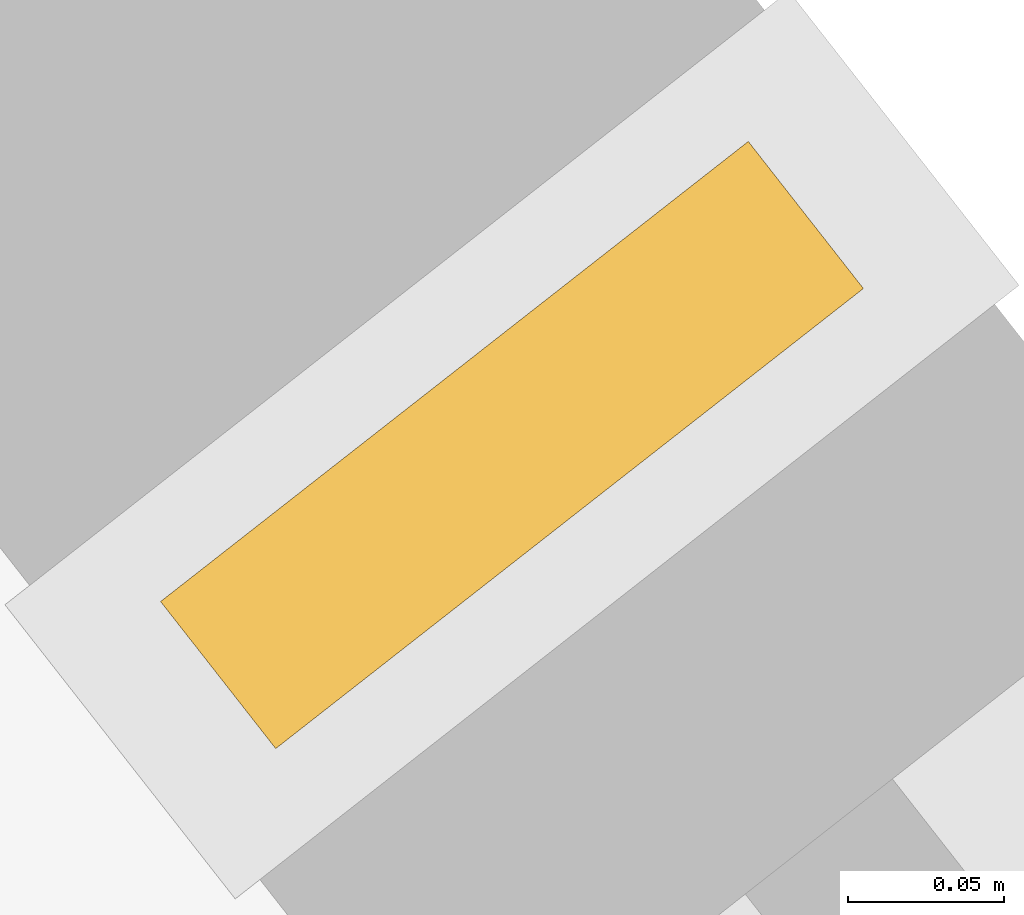
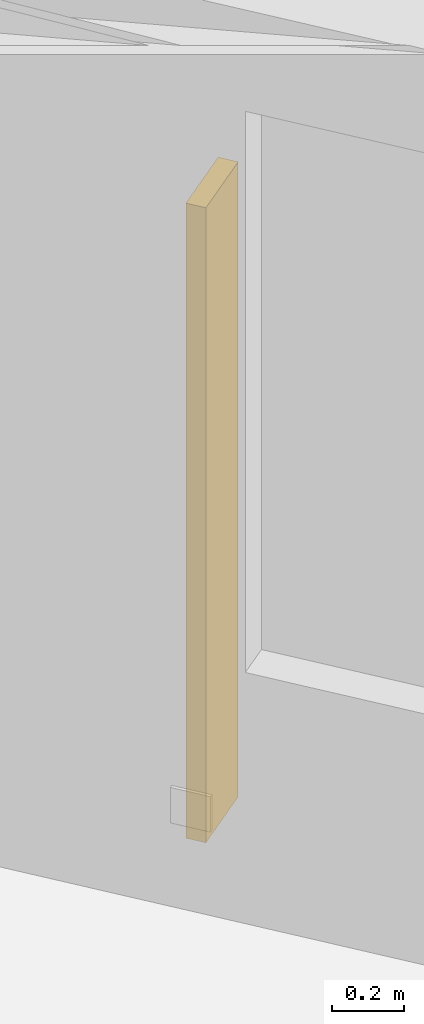
# One storey, part 16 of 16: 1 shading device.
"""IFC4 building model written with IfcOpenShell, lengths in metres."""

import ifcopenshell
import ifcopenshell.guid

model = None  # the IFC model being written
_history = None  # IfcOwnerHistory: only IFC2X3 demands one
_inside = {}  # id of a spatial element -> (the spatial element, [elements in it])
_under = {}  # id of a project, library or spatial element -> (it, [spatial elements below it])
_declared = {}  # id of a project -> (the project, [libraries it declares])
_typed = {}  # id of a type object -> (the type object, [elements of that type])
_made_of = {}  # id of a material, layer set ... -> (it, [elements and type objects made of it])


def new_model(schema):
    """Start an empty IFC model of exactly this schema.

    Asked for "IFC4X3", IfcOpenShell would pick the latest addendum, in which some entities
    have other attributes; the version numbers below select the first issue.
    IFC2X3 requires an IfcOwnerHistory on every rooted entity: one is made here for all.
    """
    global model, _history
    if schema == "IFC4X3":
        model = ifcopenshell.file(schema_version=(4, 3, 0, 0))
    else:
        model = ifcopenshell.file(schema=schema)
    _inside.clear()
    _under.clear()
    _declared.clear()
    _typed.clear()
    _made_of.clear()
    _history = None
    if model.schema == "IFC2X3":
        org = make("IfcOrganization", Name="unknown")
        user = make(
            "IfcPersonAndOrganization",
            ThePerson=make("IfcPerson", FamilyName="unknown"),
            TheOrganization=org,
        )
        app = make(
            "IfcApplication",
            ApplicationDeveloper=org,
            Version="unknown",
            ApplicationFullName="unknown",
            ApplicationIdentifier="unknown",
        )
        _history = make(
            "IfcOwnerHistory",
            OwningUser=user,
            OwningApplication=app,
            ChangeAction="ADDED",
            CreationDate=0,
        )
    return model


def make(cls, **values):
    """One entity of the class cls with the attributes given. An attribute that is None is left unset."""
    return model.create_entity(
        cls, **{name: value for name, value in values.items() if value is not None}
    )


def rooted(cls, **values):
    """An entity with a GlobalId (a new one), such as an element, a storey or a relation."""
    return make(cls, GlobalId=ifcopenshell.guid.new(), OwnerHistory=_history, **values)


def si_unit(unit_type, name, prefix=None):
    """IfcSIUnit, for example si_unit("LENGTHUNIT", "METRE", prefix="MILLI")."""
    return make("IfcSIUnit", UnitType=unit_type, Prefix=prefix, Name=name)


def assignment(units):
    """IfcUnitAssignment: the units of a project."""
    return None if units is None else make("IfcUnitAssignment", Units=units)


def point(xyz):
    """IfcCartesianPoint."""
    return None if xyz is None else make("IfcCartesianPoint", Coordinates=xyz)


def direction(xyz):
    """IfcDirection."""
    return None if xyz is None else make("IfcDirection", DirectionRatios=xyz)


def frame(location, z_axis=None, x_axis=None):
    """IfcAxis2Placement3D, a coordinate frame: its origin and axes. An axis left out is left unset."""
    return make(
        "IfcAxis2Placement3D",
        Location=point(location),
        Axis=direction(z_axis),
        RefDirection=direction(x_axis),
    )


def frame_2d(location, x_axis=None):
    """IfcAxis2Placement2D, a coordinate frame in the plane: its origin and x axis."""
    return make(
        "IfcAxis2Placement2D", Location=point(location), RefDirection=direction(x_axis)
    )


def origin():
    """The frame at (0, 0, 0) with its axes left unset."""
    return frame((0.0, 0.0, 0.0))


def origin_2d():
    """The frame at (0, 0) in the plane with its x axis left unset."""
    return frame_2d((0.0, 0.0))


def place(relative_to, where):
    """IfcLocalPlacement: puts the frame where relative to a parent placement (None: the world)."""
    return make(
        "IfcLocalPlacement", PlacementRelTo=relative_to, RelativePlacement=where
    )


def context(
    kind, dimensions, precision=None, world=None, true_north=None, identifier=None
):
    """IfcGeometricRepresentationContext, for example the 3D "Model" context."""
    return make(
        "IfcGeometricRepresentationContext",
        ContextIdentifier=identifier,
        ContextType=kind,
        CoordinateSpaceDimension=dimensions,
        Precision=precision,
        WorldCoordinateSystem=world,
        TrueNorth=true_north,
    )


def subcontext(parent, identifier, kind, view, scale=None):
    """IfcGeometricRepresentationSubContext, for example "Body" below "Model"."""
    return make(
        "IfcGeometricRepresentationSubContext",
        ContextIdentifier=identifier,
        ContextType=kind,
        ParentContext=parent,
        TargetScale=scale,
        TargetView=view,
    )


def project(units=None, contexts=None):
    """IfcProject with its units and contexts."""
    return rooted(
        "IfcProject",
        Name="project",
        RepresentationContexts=contexts,
        UnitsInContext=assignment(units),
    )


def spatial(cls, under=None, at=None, **own):
    """A site, building, storey or space (cls), placed at a placement, below another one or the project."""
    s = rooted(cls, ObjectPlacement=at, **own)
    if under is not None:
        _under.setdefault(under.id(), (under, []))[1].append(s)
    return s


def profile(cls, at=None, kind="AREA", **sizes):
    """A parametric profile (cls). Its sizes go by their IFC names, for example OverallWidth=200.0."""
    return make(cls, ProfileType=kind, Position=at, **sizes)


def rectangle(**sizes):
    """IfcRectangleProfileDef."""
    return profile("IfcRectangleProfileDef", **sizes)


def extrude(swept, where, along, depth):
    """IfcExtrudedAreaSolid: the profile swept, set in the frame where, extruded along a direction by depth."""
    return make(
        "IfcExtrudedAreaSolid",
        SweptArea=swept,
        Position=where,
        ExtrudedDirection=direction(along),
        Depth=depth,
    )


def shape(context_of_items, identifier, shape_type, items):
    """IfcShapeRepresentation: the items that make up one representation, for example the "Body"."""
    return make(
        "IfcShapeRepresentation",
        ContextOfItems=context_of_items,
        RepresentationIdentifier=identifier,
        RepresentationType=shape_type,
        Items=items,
    )


def material(Name=None, Category=None):
    """IfcMaterial."""
    return make("IfcMaterial", Name=Name, Category=Category)


def made_of(thing, what):
    """Note that an element or type object is made of a material, layer set ...; save() writes the relation."""
    if what is not None:
        _made_of.setdefault(what.id(), (what, []))[1].append(thing)
    return thing


def type_object(cls, material=None, **own):
    """A type object (cls), such as IfcWallType, which elements share."""
    return made_of(rooted(cls, **own), material)


def element(
    cls,
    number,
    at=None,
    inside=None,
    cuts=None,
    type_object=None,
    material=None,
    context=None,
    identifier="Body",
    shape_type=None,
    held_by="IfcProductDefinitionShape",
    body=None,
    shapes=None,
    **own,
):
    """One element of the class cls, such as IfcWall. Its Tag is "e" and its number.

    at: its placement. inside: the storey or other place that contains it. cuts: it is an
    opening in that element (IfcRelVoidsElement). A single representation is given by context,
    identifier, shape_type and body (its items); several are given by shapes. held_by: the class
    of the entity that holds the representations. save() writes the other relations.
    """
    e = rooted(cls, Tag="e%d" % number, ObjectPlacement=at, **own)
    if body is not None:
        shapes = [shape(context, identifier, shape_type, body)]
    if shapes is not None:
        e.Representation = make(held_by, Representations=shapes)
    if inside is not None:
        _inside.setdefault(inside.id(), (inside, []))[1].append(e)
    if cuts is not None:
        rooted(
            "IfcRelVoidsElement", RelatingBuildingElement=cuts, RelatedOpeningElement=e
        )
    if type_object is not None:
        _typed.setdefault(type_object.id(), (type_object, []))[1].append(e)
    return made_of(e, material)


def aggregate(whole, parts):
    """IfcRelAggregates: a whole, such as a stair, and the parts it consists of."""
    return rooted("IfcRelAggregates", RelatingObject=whole, RelatedObjects=parts)


def save(model, path):
    """Write the relations noted so far, then the file.

    IfcRelAggregates (storeys below a building ...), IfcRelContainedInSpatialStructure (elements
    in a storey), IfcRelDefinesByType, IfcRelAssociatesMaterial and IfcRelDeclares: one each for
    every whole, place, type object, material and project.
    """
    for whole, parts in _under.values():
        aggregate(whole, parts)
    for where, things in _inside.values():
        rooted(
            "IfcRelContainedInSpatialStructure",
            RelatedElements=things,
            RelatingStructure=where,
        )
    for kind, things in _typed.values():
        rooted("IfcRelDefinesByType", RelatedObjects=things, RelatingType=kind)
    for what, things in _made_of.values():
        rooted("IfcRelAssociatesMaterial", RelatedObjects=things, RelatingMaterial=what)
    for by, libraries in _declared.values():
        rooted("IfcRelDeclares", RelatingContext=by, RelatedDefinitions=libraries)
    model.write(path)


model = new_model("IFC4")

# Units and contexts
model_context = context("Model", 3, precision=1e-05, world=origin(), true_north=direction((0.0, 1.0)))
body_context = subcontext(model_context, "Body", "Model", "MODEL_VIEW")
ifc_project = project(units=[si_unit("LENGTHUNIT", "METRE"), si_unit("AREAUNIT", "SQUARE_METRE"), si_unit("VOLUMEUNIT", "CUBIC_METRE"), si_unit("PLANEANGLEUNIT", "RADIAN"), si_unit("MASSUNIT", "GRAM", prefix="KILO")], contexts=[model_context])

# Site, building, storey
site_placement = place(None, origin())
site = spatial("IfcSite", under=ifc_project, at=site_placement, CompositionType="ELEMENT")
building_placement = place(site_placement, origin())
building = spatial("IfcBuilding", under=site, at=building_placement, Name="Kolvaren Gate Tower and Convention Centre", CompositionType="ELEMENT")
storey_placement = place(building_placement, frame((0.0, 0.0, 65.0)))
storey = spatial("IfcBuildingStorey", under=building, at=storey_placement, Name="L15", CompositionType="ELEMENT", Elevation=65.0)

# Shading device
ifc_material = material(Name="Kiln-Fired Bogota Terracotta Ceramic Louvre Profile", Category="masonry")
shading_device_type = type_object("IfcShadingDeviceType", Name="ARCH-SHD-FIN-180", PredefinedType="JALOUSIE", material=ifc_material)
shading_device_placement = place(storey_placement, frame((44.4453125, 43.9091796875, 0.219970703125), z_axis=(0.0, 0.0, 1.0), x_axis=(0.616431370541, -0.787408639407, 0.0)))
element("IfcShadingDevice", 1, at=shading_device_placement, inside=storey, type_object=shading_device_type, Name="Ceramic Vertical Brise-Soleil Fin FN-L15-03", PredefinedType="JALOUSIE", context=body_context, shape_type="SweptSolid", body=[
    extrude(rectangle(XDim=0.06005859375, YDim=0.239990234375, at=origin_2d()), origin(), (0.0, 0.0, 1.0), 2.14990234375),
])

save(model, "model.ifc")
